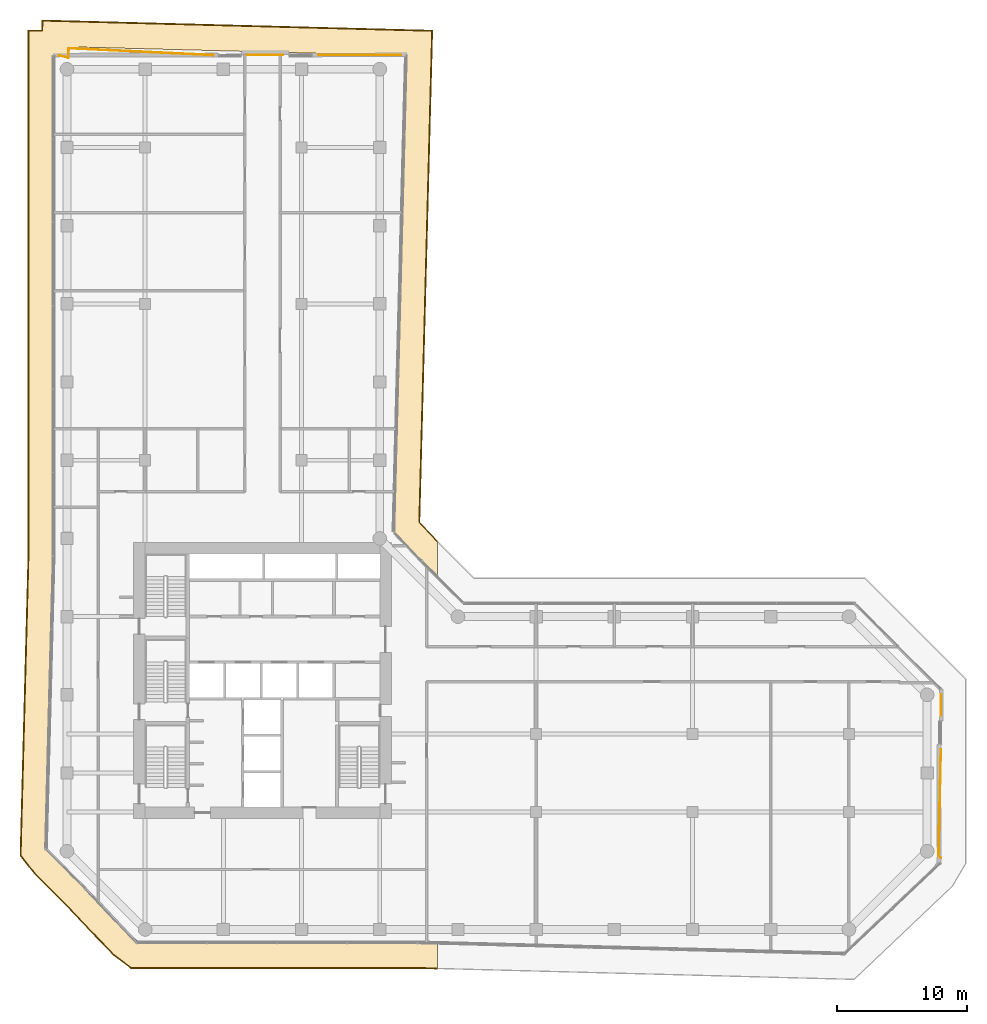
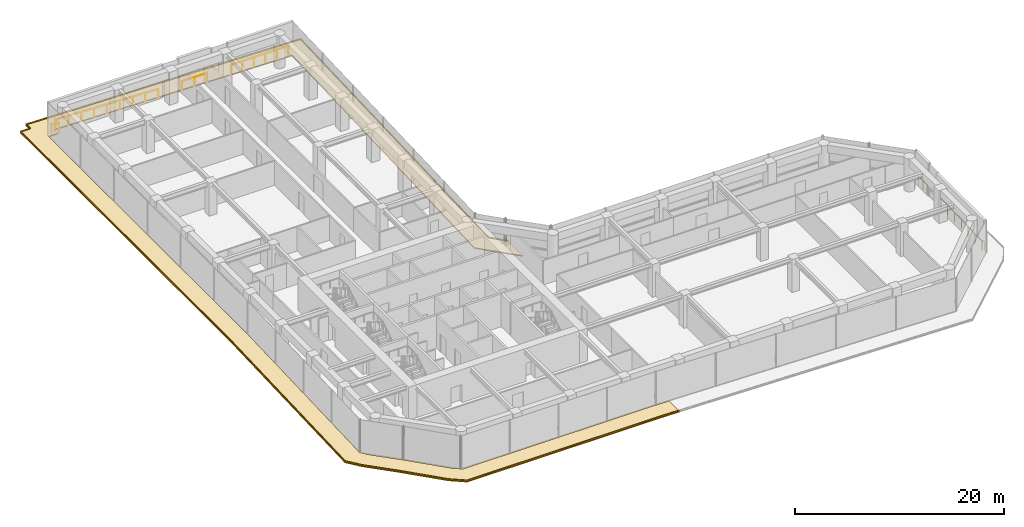
# One storey, part 28 of 28: 5 railings, 2 coverings.
"""IFC4 building model written with IfcOpenShell, lengths in metres."""

from ifc_helpers import new_model, si_unit, direction, frame, origin, origin_2d, place, context, subcontext, project, spatial, polyline, circle, outline, extrude, material, layer, layer_set, type_object, element, save


model = new_model("IFC4")

# Units and contexts
model_context = context("Model", 3, precision=1e-05, world=origin(), true_north=direction((0.0, 1.0)))
body_context = subcontext(model_context, "Body", "Model", "MODEL_VIEW")
ifc_project = project(units=[si_unit("LENGTHUNIT", "METRE"), si_unit("AREAUNIT", "SQUARE_METRE"), si_unit("VOLUMEUNIT", "CUBIC_METRE"), si_unit("PLANEANGLEUNIT", "RADIAN"), si_unit("MASSUNIT", "GRAM", prefix="KILO")], contexts=[model_context])

# Site, building, storey
site_placement = place(None, origin())
site = spatial("IfcSite", under=ifc_project, at=site_placement, CompositionType="ELEMENT")
building_placement = place(site_placement, origin())
building = spatial("IfcBuilding", under=site, at=building_placement, Name="Welwitschia Terrace Campus", CompositionType="ELEMENT")
storey_placement = place(building_placement, frame((0.0, 0.0, 45.800048828125)))
storey = spatial("IfcBuildingStorey", under=building, at=storey_placement, Name="L10", CompositionType="ELEMENT", Elevation=45.800048828125)

# Railings
ifc_material_1 = material(Name="Stainless steel grade 316", Category="steel")
railing_type = type_object("IfcRailingType", Name="Guard 1100", PredefinedType="GUARDRAIL", material=ifc_material_1)
railing_1_placement = place(storey_placement, frame((-0.6083984375, 63.05712890625, 0.0)))
element("IfcRailing", 1, at=railing_1_placement, inside=storey, type_object=railing_type, Name="Guard floor edge L10.0", PredefinedType="GUARDRAIL", context=body_context, shape_type="SweptSolid", body=[
    extrude(circle(Radius=0.02392578125, at=origin_2d()), frame((0.0, 0.0, 1.076171875), z_axis=(0.971728127654, -0.236102617362, 0.0), x_axis=(0.236102617362, 0.971728127654, 0.0)), (0.0, 0.0, 1.0), 0.750732421875),
    extrude(circle(Radius=0.02392578125, at=origin_2d()), frame((0.7294921875, -0.17724609375, 1.076171875), z_axis=(0.025969645868, 0.999662731872, 0.0), x_axis=(-0.999662731872, 0.025969645868, 0.0)), (0.0, 0.0, 1.0), 0.723876953125),
    extrude(circle(Radius=0.02392578125, at=origin_2d()), frame((0.748291015625, 0.54638671875, 1.076171875), z_axis=(0.998874598699, -0.047429274431, 0.0), x_axis=(0.047429274431, 0.998874598699, 0.0)), (0.0, 0.0, 1.0), 11.097900390625),
    extrude(circle(Radius=0.02099609375, at=origin_2d()), origin(), (0.0, 0.0, 1.0), 1.052001953125),
    extrude(circle(Radius=0.02099609375, at=origin_2d()), frame((0.7294921875, -0.17724609375, 0.0)), (0.0, 0.0, 1.0), 1.052001953125),
    extrude(circle(Radius=0.02099609375, at=origin_2d()), frame((0.748291015625, 0.54638671875, 0.0)), (0.0, 0.0, 1.0), 1.052001953125),
    extrude(circle(Radius=0.02099609375, at=origin_2d()), frame((2.134033203125, 0.48046875, 0.0)), (0.0, 0.0, 1.0), 1.052001953125),
    extrude(circle(Radius=0.02099609375, at=origin_2d()), frame((3.51953125, 0.414794921875, 0.0)), (0.0, 0.0, 1.0), 1.052001953125),
    extrude(circle(Radius=0.02099609375, at=origin_2d()), frame((4.9052734375, 0.34912109375, 0.0)), (0.0, 0.0, 1.0), 1.052001953125),
    extrude(circle(Radius=0.02099609375, at=origin_2d()), frame((6.291015625, 0.283203125, 0.0)), (0.0, 0.0, 1.0), 1.052001953125),
    extrude(circle(Radius=0.02099609375, at=origin_2d()), frame((7.6767578125, 0.21728515625, 0.0)), (0.0, 0.0, 1.0), 1.052001953125),
    extrude(circle(Radius=0.02099609375, at=origin_2d()), frame((9.0625, 0.151611328125, 0.0)), (0.0, 0.0, 1.0), 1.052001953125),
    extrude(circle(Radius=0.02099609375, at=origin_2d()), frame((10.447998046875, 0.0859375, 0.0)), (0.0, 0.0, 1.0), 1.052001953125),
    extrude(circle(Radius=0.02099609375, at=origin_2d()), frame((11.833740234375, 0.02001953125, 0.0)), (0.0, 0.0, 1.0), 1.052001953125),
])
railing_2_placement = place(storey_placement, frame((13.826904296875, 63.081787109375, 0.0)))
element("IfcRailing", 2, at=railing_2_placement, inside=storey, type_object=railing_type, Name="Guard floor edge L10.1", PredefinedType="GUARDRAIL", context=body_context, shape_type="SweptSolid", body=[
    extrude(circle(Radius=0.02392578125, at=origin_2d()), frame((0.0, 0.0, 1.076171875), z_axis=(0.999998593403, 0.001677257528, 0.0), x_axis=(-0.001677257528, 0.999998593403, 0.0)), (0.0, 0.0, 1.0), 2.765625),
    extrude(circle(Radius=0.02099609375, at=origin_2d()), origin(), (0.0, 0.0, 1.0), 1.052001953125),
    extrude(circle(Radius=0.02099609375, at=origin_2d()), frame((1.3828125, 0.00244140625, 0.0)), (0.0, 0.0, 1.0), 1.052001953125),
    extrude(circle(Radius=0.02099609375, at=origin_2d()), frame((2.765625, 0.004638671875, 0.0)), (0.0, 0.0, 1.0), 1.052001953125),
])
railing_3_placement = place(storey_placement, frame((19.28369140625, 63.102294921875, 0.0)))
element("IfcRailing", 3, at=railing_3_placement, inside=storey, type_object=railing_type, Name="Guard floor edge L10.2", PredefinedType="GUARDRAIL", context=body_context, shape_type="SweptSolid", body=[
    extrude(circle(Radius=0.02392578125, at=origin_2d()), frame((0.0, 0.0, 1.076171875), z_axis=(0.99999999703, -7.7074261e-05, 0.0), x_axis=(7.7074261e-05, 0.99999999703, 0.0)), (0.0, 0.0, 1.0), 6.335205078125),
    extrude(circle(Radius=0.02099609375, at=origin_2d()), origin(), (0.0, 0.0, 1.0), 1.052001953125),
    extrude(circle(Radius=0.02099609375, at=origin_2d()), frame((1.26708984375, 0.0, 0.0)), (0.0, 0.0, 1.0), 1.052001953125),
    extrude(circle(Radius=0.02099609375, at=origin_2d()), frame((2.5341796875, -0.000244140625, 0.0)), (0.0, 0.0, 1.0), 1.052001953125),
    extrude(circle(Radius=0.02099609375, at=origin_2d()), frame((3.801025390625, -0.000244140625, 0.0)), (0.0, 0.0, 1.0), 1.052001953125),
    extrude(circle(Radius=0.02099609375, at=origin_2d()), frame((5.068115234375, -0.00048828125, 0.0)), (0.0, 0.0, 1.0), 1.052001953125),
    extrude(circle(Radius=0.02099609375, at=origin_2d()), frame((6.335205078125, -0.00048828125, 0.0)), (0.0, 0.0, 1.0), 1.052001953125),
])
railing_4_placement = place(storey_placement, frame((67.05810546875, 9.7919921875, 0.0)))
element("IfcRailing", 4, at=railing_4_placement, inside=storey, type_object=railing_type, Name="Guard floor edge L10.3", PredefinedType="GUARDRAIL", context=body_context, shape_type="SweptSolid", body=[
    extrude(circle(Radius=0.02392578125, at=origin_2d()), frame((0.0, 0.0, 1.076171875), z_axis=(-0.021799531773, -0.999762361971, 0.0), x_axis=(0.999762361971, -0.021799531773, 0.0)), (0.0, 0.0, 1.0), 8.175537109375),
    extrude(circle(Radius=0.02392578125, at=origin_2d()), frame((-0.17822265625, -8.173583984375, 1.076171875), z_axis=(0.762196874175, -0.647345290396, 0.0), x_axis=(0.647345290396, 0.762196874175, 0.0)), (0.0, 0.0, 1.0), 0.23388671875),
    extrude(circle(Radius=0.02099609375, at=origin_2d()), origin(), (0.0, 0.0, 1.0), 1.052001953125),
    extrude(circle(Radius=0.02099609375, at=origin_2d()), frame((-0.02978515625, -1.3623046875, 0.0)), (0.0, 0.0, 1.0), 1.052001953125),
    extrude(circle(Radius=0.02099609375, at=origin_2d()), frame((-0.059326171875, -2.724609375, 0.0)), (0.0, 0.0, 1.0), 1.052001953125),
    extrude(circle(Radius=0.02099609375, at=origin_2d()), frame((-0.089111328125, -4.0869140625, 0.0)), (0.0, 0.0, 1.0), 1.052001953125),
    extrude(circle(Radius=0.02099609375, at=origin_2d()), frame((-0.118896484375, -5.448974609375, 0.0)), (0.0, 0.0, 1.0), 1.052001953125),
    extrude(circle(Radius=0.02099609375, at=origin_2d()), frame((-0.1484375, -6.811279296875, 0.0)), (0.0, 0.0, 1.0), 1.052001953125),
    extrude(circle(Radius=0.02099609375, at=origin_2d()), frame((-0.17822265625, -8.173583984375, 0.0)), (0.0, 0.0, 1.0), 1.052001953125),
    extrude(circle(Radius=0.02099609375, at=origin_2d()), frame((0.0, -8.324951171875, 0.0)), (0.0, 0.0, 1.0), 1.052001953125),
])
railing_5_placement = place(storey_placement, frame((67.05810546875, 14.025146484375, 0.0)))
element("IfcRailing", 5, at=railing_5_placement, inside=storey, type_object=railing_type, Name="Guard floor edge L10.4", PredefinedType="GUARDRAIL", context=body_context, shape_type="SweptSolid", body=[
    extrude(circle(Radius=0.02392578125, at=origin_2d()), frame((0.0, 0.0, 1.076171875), z_axis=(0.0, -1.0, 0.0), x_axis=(1.0, 0.0, 0.0)), (0.0, 0.0, 1.0), 1.607177734375),
    extrude(circle(Radius=0.02099609375, at=origin_2d()), origin(), (0.0, 0.0, 1.0), 1.052001953125),
    extrude(circle(Radius=0.02099609375, at=origin_2d()), frame((0.0, -0.8037109375, 0.0)), (0.0, 0.0, 1.0), 1.052001953125),
    extrude(circle(Radius=0.02099609375, at=origin_2d()), frame((0.0, -1.607177734375, 0.0)), (0.0, 0.0, 1.0), 1.052001953125),
])

# Coverings
ifc_material_2 = material(Name="Bronze anodised aluminium", Category="aluminium")
ifc_layer_1 = layer(ifc_material_2, 0.1201171875)
ifc_layer_set_1 = layer_set([ifc_layer_1], Name="Bronze anodised aluminium")
covering_type_1 = type_object("IfcCoveringType", Name="Sunshade band 2000", PredefinedType="USERDEFINED", material=ifc_layer_set_1)
covering_1_placement = place(storey_placement, frame((0.0, 0.0, -0.25)))
element("IfcCovering", 6, at=covering_1_placement, inside=storey, type_object=covering_type_1, Name="SUNSHADE L10.SW0", ObjectType="SUNSHADE", PredefinedType="USERDEFINED", context=body_context, shape_type="SweptSolid", body=[
    extrude(outline(polyline([(-3.0, 24.681396484375), (-3.0, 65.0), (-1.944091796875, 65.0), (-1.923828125, 65.7783203125), (28.06591796875, 64.9931640625), (27.077392578125, 27.248779296875), (28.41552734375, 25.838623046875), (28.41552734375, 22.998779296875), (27.197998046875, 24.21630859375), (25.056396484375, 26.472900390625), (26.01416015625, 63.046142578125), (0.023193359375, 63.726806640625), (0.004150390625, 63.0), (-1.0, 63.0), (-1.0, 24.6552734375), (-1.58447265625, 2.33349609375), (-1.0, 1.585693359375), (1.450927734375, -0.865234375), (4.82666015625, -4.42236328125), (5.585693359375, -5.0), (26.885009765625, -5.0), (28.41552734375, -5.0400390625), (28.41552734375, -7.040771484375), (26.85888671875, -7.0), (4.911376953125, -7.0), (3.487060546875, -5.916259765625), (0.018310546875, -2.260986328125), (-2.50048828125, 0.2578125), (-3.6025390625, 1.667724609375), (-3.0, 24.681396484375)])), origin(), (0.0, 0.0, 1.0), 0.119873046875),
])
ifc_material_3 = material(Name="Bronze anodised aluminium", Category="aluminium")
ifc_layer_2 = layer(ifc_material_3, 0.06005859375)
ifc_layer_set_2 = layer_set([ifc_layer_2], Name="Bronze anodised aluminium")
covering_type_2 = type_object("IfcCoveringType", Name="Sunshade lip 60", PredefinedType="USERDEFINED", material=ifc_layer_set_2)
covering_2_placement = place(storey_placement, frame((0.0, 0.0, -0.130126953125)))
element("IfcCovering", 7, at=covering_2_placement, inside=storey, type_object=covering_type_2, Name="SUNSHADE LIP L10.SW0.0", ObjectType="SUNSHADE", PredefinedType="USERDEFINED", context=body_context, shape_type="SweptSolid", body=[
    extrude(outline(polyline([(-3.0, 65.0), (-1.944091796875, 65.0), (-1.923828125, 65.7783203125), (28.06591796875, 64.9931640625), (27.077392578125, 27.248779296875), (28.41552734375, 25.838623046875), (28.41552734375, 25.751708984375), (27.016845703125, 27.225341796875), (28.00439453125, 64.934814453125), (-1.865478515625, 65.716796875), (-1.8857421875, 64.93994140625), (-2.93994140625, 64.93994140625), (-2.93994140625, 24.6806640625), (-3.5419921875, 1.687744140625), (-2.45556640625, 0.297607421875), (0.061279296875, -2.218994140625), (3.527099609375, -5.871337890625), (4.931640625, -6.93994140625), (26.859619140625, -6.93994140625), (28.41552734375, -6.980712890625), (28.41552734375, -7.040771484375), (26.85888671875, -7.0), (4.911376953125, -7.0), (3.487060546875, -5.916259765625), (0.018310546875, -2.260986328125), (-2.50048828125, 0.2578125), (-3.6025390625, 1.667724609375), (-3.0, 24.681396484375), (-3.0, 65.0)])), origin(), (0.0, 0.0, 1.0), 0.130126953125),
])

save(model, "model.ifc")
